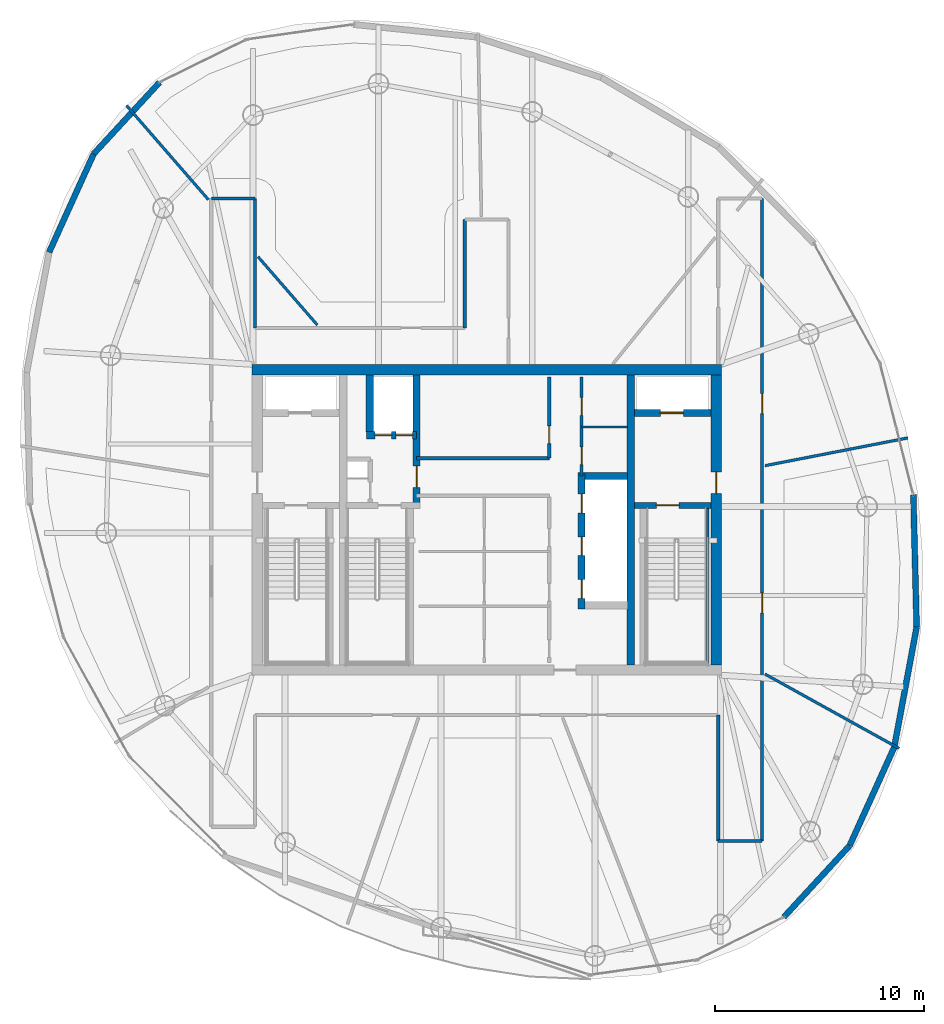
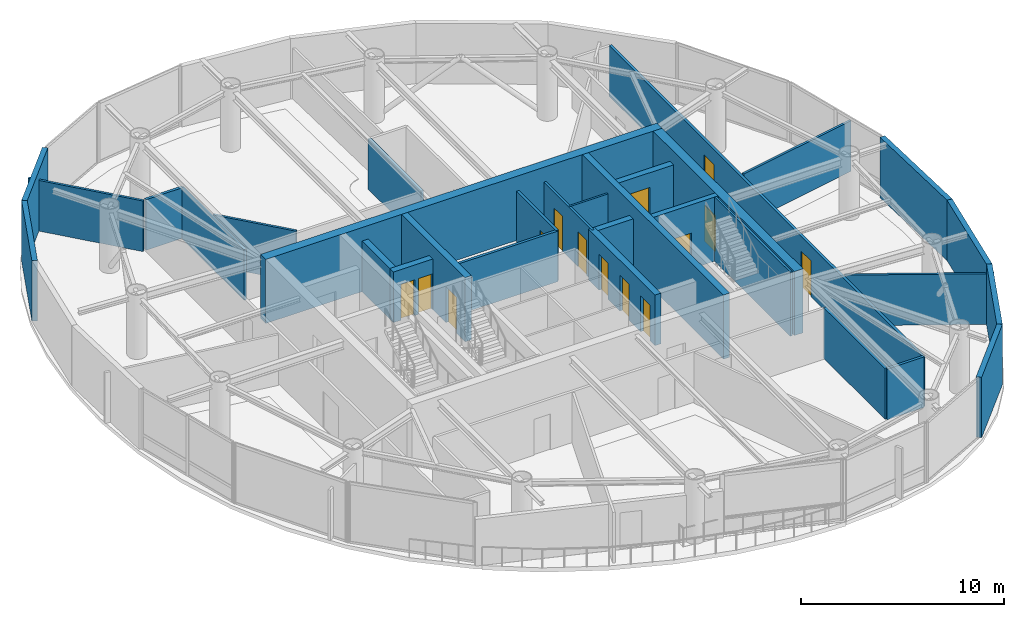
# One storey, part 16 of 20: 31 walls, 14 doors, 14 openings.
"""IFC4 building model written with IfcOpenShell, lengths in metres."""

from ifc_helpers import new_model, si_unit, direction, frame, frame_2d, origin, place, context, subcontext, project, spatial, rectangle, extrude, material, layer, layer_set, type_object, element, fill, save


model = new_model("IFC4")

# Units and contexts
model_context = context("Model", 3, precision=1e-05, world=origin(), true_north=direction((0.0, 1.0)))
body_context = subcontext(model_context, "Body", "Model", "MODEL_VIEW")
ifc_project = project(units=[si_unit("LENGTHUNIT", "METRE"), si_unit("AREAUNIT", "SQUARE_METRE"), si_unit("VOLUMEUNIT", "CUBIC_METRE"), si_unit("PLANEANGLEUNIT", "RADIAN"), si_unit("MASSUNIT", "GRAM", prefix="KILO")], contexts=[model_context])

# Site, building, storey
site_placement = place(None, origin())
site = spatial("IfcSite", under=ifc_project, at=site_placement, CompositionType="ELEMENT")
building_placement = place(site_placement, origin())
building = spatial("IfcBuilding", under=site, at=building_placement, Name="Bramvorn Convention Spire", CompositionType="ELEMENT")
storey_placement = place(building_placement, frame((0.0, 0.0, 245.89990234375)))
storey = spatial("IfcBuildingStorey", under=building, at=storey_placement, Name="L62", CompositionType="ELEMENT", Elevation=245.89990234375)

# Wall
ifc_material_1 = material(Name="Concrete C50/60", Category="concrete")
ifc_layer_1 = layer(ifc_material_1, 0.5)
ifc_layer_set_1 = layer_set([ifc_layer_1], Name="Concrete C50/60 - WL-CORE-500")
wall_type_1 = type_object("IfcWallType", Name="WL-CORE-500", PredefinedType="SHEAR", material=ifc_layer_set_1)
wall_1_placement = place(storey_placement, frame((26.75, 33.199951171875, 0.0), z_axis=(0.0, 0.0, 1.0), x_axis=(1.0, 0.0, 0.0)))
element("IfcWall", 1, at=wall_1_placement, inside=storey, type_object=wall_type_1, Name="L62 North RC core shear wall", PredefinedType="SHEAR", context=body_context, shape_type="SweptSolid", body=[
    extrude(rectangle(XDim=22.5, YDim=0.5, at=frame_2d((11.25, 0.0))), origin(), (0.0, 0.0, 1.0), 3.85009765625),
])

# Wall, opening, door
wall_2_placement = place(storey_placement, frame((49.0, 19.050048828125, 0.0), z_axis=(0.0, 0.0, 1.0), x_axis=(0.0, 1.0, 0.0)))
wall_2 = element("IfcWall", 2, at=wall_2_placement, inside=storey, type_object=wall_type_1, Name="L62 East RC core shear wall", PredefinedType="SHEAR", context=body_context, shape_type="SweptSolid", body=[
    extrude(rectangle(XDim=13.89990234375, YDim=0.5, at=frame_2d((6.949951171875, 0.0))), origin(), (0.0, 0.0, 1.0), 3.85009765625),
])
opening_1_placement = place(wall_2_placement, frame((8.199951171875, 0.0, 0.0)))
opening_1 = element("IfcOpeningElement", 3, at=opening_1_placement, cuts=wall_2, Name="Opening DL-105", PredefinedType="OPENING", context=body_context, shape_type="SweptSolid", body=[
    extrude(rectangle(XDim=1.050048828125, YDim=2.14990234375, at=frame_2d((0.52490234375, 1.074951171875))), frame((0.0, 0.260009765625, 0.0), z_axis=(0.0, -1.0, 0.0), x_axis=(1.0, 0.0, 0.0)), (0.0, 0.0, 1.0), 0.52001953125),
])
ifc_material_2 = material(Name="Smoke-Sealed Fire Lobby Timber-Core Door", Category="wood")
door_type_1 = type_object("IfcDoorType", Name="DR-LOBBY-1050", OperationType="NOTDEFINED", PredefinedType="DOOR", material=ifc_material_2)
door_1_placement = place(opening_1_placement, origin())
door_1 = element("IfcDoor", 4, at=door_1_placement, inside=storey, type_object=door_type_1, Name="L62 East Firefighting Lobby corridor door", OperationType="SINGLE_SWING_LEFT", OverallHeight=2.14990234375, OverallWidth=1.050048828125, PredefinedType="DOOR", context=body_context, shape_type="SweptSolid", body=[
    extrude(rectangle(XDim=1.050048828125, YDim=2.14990234375, at=frame_2d((0.52490234375, 1.074951171875))), frame((0.0, 0.02490234375, 0.0), z_axis=(0.0, -1.0, 0.0), x_axis=(1.0, 0.0, 0.0)), (0.0, 0.0, 1.0), 0.050048828125),
])
fill(opening_1, door_1)

# Wall
ifc_layer_2 = layer(ifc_material_1, 0.35009765625)
ifc_layer_set_2 = layer_set([ifc_layer_2], Name="Concrete C50/60 - WL-CORE-INT-350")
wall_type_2 = type_object("IfcWallType", Name="WL-CORE-INT-350", PredefinedType="SHEAR", material=ifc_layer_set_2)
wall_3_placement = place(storey_placement, frame((44.89990234375, 19.050048828125, 0.0), z_axis=(0.0, 0.0, 1.0), x_axis=(0.0, 1.0, 0.0)))
element("IfcWall", 5, at=wall_3_placement, inside=storey, type_object=wall_type_2, Name="L62 East internal core shear web", PredefinedType="SHEAR", context=body_context, shape_type="SweptSolid", body=[
    extrude(rectangle(XDim=13.89990234375, YDim=0.35009765625, at=frame_2d((6.949951171875, 0.0))), origin(), (0.0, 0.0, 1.0), 3.85009765625),
])

# Wall, opening, door
wall_4_placement = place(storey_placement, frame((45.080078125, 31.1201171875, 0.0), z_axis=(0.0, 0.0, 1.0), x_axis=(1.0, 0.0, 0.0)))
wall_4 = element("IfcWall", 6, at=wall_4_placement, inside=storey, type_object=wall_type_2, Name="L62 FE2 shaft front wall", PredefinedType="SHEAR", context=body_context, shape_type="SweptSolid", body=[
    extrude(rectangle(XDim=3.669921875, YDim=0.35009765625, at=frame_2d((1.8349609375, 0.0))), origin(), (0.0, 0.0, 1.0), 3.0400390625),
])
opening_2_placement = place(wall_4_placement, frame((1.25, 0.0, 0.0)))
opening_2 = element("IfcOpeningElement", 7, at=opening_2_placement, cuts=wall_4, Name="Opening LD-110", PredefinedType="OPENING", context=body_context, shape_type="SweptSolid", body=[
    extrude(rectangle(XDim=1.10009765625, YDim=2.14990234375, at=frame_2d((0.550048828125, 1.074951171875))), frame((0.0, 0.18505859375, 0.0), z_axis=(0.0, -1.0, 0.0), x_axis=(1.0, 0.0, 0.0)), (0.0, 0.0, 1.0), 0.3701171875),
])
ifc_material_3 = material(Name="Firefighting & Service Lift Sliding Landing Door", Category="steel")
door_type_2 = type_object("IfcDoorType", Name="DR-LIFT-LD-1100", OperationType="NOTDEFINED", PredefinedType="DOOR", material=ifc_material_3)
door_2_placement = place(opening_2_placement, origin())
door_2 = element("IfcDoor", 8, at=door_2_placement, inside=storey, type_object=door_type_2, Name="L62 Lift FE2 Sliding Landing Door", OperationType="SLIDING_TO_LEFT", OverallHeight=2.14990234375, OverallWidth=1.10009765625, PredefinedType="DOOR", context=body_context, shape_type="SweptSolid", body=[
    extrude(rectangle(XDim=1.10009765625, YDim=2.14990234375, at=frame_2d((0.550048828125, 1.074951171875))), frame((0.0, 0.02490234375, 0.0), z_axis=(0.0, -1.0, 0.0), x_axis=(1.0, 0.0, 0.0)), (0.0, 0.0, 1.0), 0.050048828125),
])
fill(opening_2, door_2)

wall_5_placement = place(storey_placement, frame((34.639892578125, 26.68994140625, 0.0), z_axis=(0.0, 0.0, 1.0), x_axis=(0.0, 1.0, 0.0)))
wall_5 = element("IfcWall", 9, at=wall_5_placement, inside=storey, type_object=wall_type_2, Name="L62 SV east core shaft wall", PredefinedType="SHEAR", context=body_context, shape_type="SweptSolid", body=[
    extrude(rectangle(XDim=6.260009765625, YDim=0.35009765625, at=frame_2d((3.1298828125, 0.0))), origin(), (0.0, 0.0, 1.0), 3.85009765625),
])
opening_3_placement = place(wall_5_placement, frame((0.85009765625, 0.0, 0.0)))
opening_3 = element("IfcOpeningElement", 10, at=opening_3_placement, cuts=wall_5, Name="Opening DL-105", PredefinedType="OPENING", context=body_context, shape_type="SweptSolid", body=[
    extrude(rectangle(XDim=1.050048828125, YDim=2.14990234375, at=frame_2d((0.52490234375, 1.074951171875))), frame((0.0, 0.18505859375, 0.0), z_axis=(0.0, -1.0, 0.0), x_axis=(1.0, 0.0, 0.0)), (0.0, 0.0, 1.0), 0.3701171875),
])
door_3_placement = place(opening_3_placement, origin())
door_3 = element("IfcDoor", 11, at=door_3_placement, inside=storey, type_object=door_type_1, Name="L62 Core cross-passage door", OperationType="SINGLE_SWING_RIGHT", OverallHeight=2.14990234375, OverallWidth=1.050048828125, PredefinedType="DOOR", context=body_context, shape_type="SweptSolid", body=[
    extrude(rectangle(XDim=1.050048828125, YDim=2.14990234375, at=frame_2d((0.52490234375, 1.074951171875))), frame((0.0, 0.02490234375, 0.0), z_axis=(0.0, -1.0, 0.0), x_axis=(1.0, 0.0, 0.0)), (0.0, 0.0, 1.0), 0.050048828125),
])
fill(opening_3, door_3)

# Wall, openings, doors
wall_6_placement = place(storey_placement, frame((32.22998046875, 30.050048828125, 0.0), z_axis=(0.0, 0.0, 1.0), x_axis=(1.0, 0.0, 0.0)))
wall_6 = element("IfcWall", 12, at=wall_6_placement, inside=storey, type_object=wall_type_2, Name="L62 SV1/SV2 shaft front wall", PredefinedType="SHEAR", context=body_context, shape_type="SweptSolid", body=[
    extrude(rectangle(XDim=2.409912109375, YDim=0.35009765625, at=frame_2d((1.205078125, 0.0))), origin(), (0.0, 0.0, 1.0), 3.0400390625),
])
opening_4_placement = place(wall_6_placement, frame((0.419921875, 0.0, 0.0)))
opening_4 = element("IfcOpeningElement", 13, at=opening_4_placement, cuts=wall_6, Name="Opening LD-080", PredefinedType="OPENING", context=body_context, shape_type="SweptSolid", body=[
    extrude(rectangle(XDim=0.800048828125, YDim=2.14990234375, at=frame_2d((0.39990234375, 1.074951171875))), frame((0.0, 0.18505859375, 0.0), z_axis=(0.0, -1.0, 0.0), x_axis=(1.0, 0.0, 0.0)), (0.0, 0.0, 1.0), 0.3701171875),
])
opening_5_placement = place(wall_6_placement, frame((1.419921875, 0.0, 0.0)))
opening_5 = element("IfcOpeningElement", 14, at=opening_5_placement, cuts=wall_6, Name="Opening LD-080", PredefinedType="OPENING", context=body_context, shape_type="SweptSolid", body=[
    extrude(rectangle(XDim=0.800048828125, YDim=2.14990234375, at=frame_2d((0.39990234375, 1.074951171875))), frame((0.0, 0.18505859375, 0.0), z_axis=(0.0, -1.0, 0.0), x_axis=(1.0, 0.0, 0.0)), (0.0, 0.0, 1.0), 0.3701171875),
])
ifc_material_4 = material(Name="Service Lift Bi-Parting Landing Door", Category="steel")
door_type_3 = type_object("IfcDoorType", Name="DR-LIFT-LD-800", OperationType="NOTDEFINED", PredefinedType="DOOR", material=ifc_material_4)
door_4_placement = place(opening_4_placement, origin())
door_4 = element("IfcDoor", 15, at=door_4_placement, inside=storey, type_object=door_type_3, Name="L62 Lift SV1 Sliding Landing Door", OperationType="SLIDING_TO_LEFT", OverallHeight=2.14990234375, OverallWidth=0.800048828125, PredefinedType="DOOR", context=body_context, shape_type="SweptSolid", body=[
    extrude(rectangle(XDim=0.800048828125, YDim=2.14990234375, at=frame_2d((0.39990234375, 1.074951171875))), frame((0.0, 0.02490234375, 0.0), z_axis=(0.0, -1.0, 0.0), x_axis=(1.0, 0.0, 0.0)), (0.0, 0.0, 1.0), 0.050048828125),
])
fill(opening_4, door_4)
door_5_placement = place(opening_5_placement, origin())
door_5 = element("IfcDoor", 16, at=door_5_placement, inside=storey, type_object=door_type_3, Name="L62 Lift SV2 Sliding Landing Door", OperationType="SLIDING_TO_LEFT", OverallHeight=2.14990234375, OverallWidth=0.800048828125, PredefinedType="DOOR", context=body_context, shape_type="SweptSolid", body=[
    extrude(rectangle(XDim=0.800048828125, YDim=2.14990234375, at=frame_2d((0.39990234375, 1.074951171875))), frame((0.0, 0.02490234375, 0.0), z_axis=(0.0, -1.0, 0.0), x_axis=(1.0, 0.0, 0.0)), (0.0, 0.0, 1.0), 0.050048828125),
])
fill(opening_5, door_5)

# Wall
wall_7_placement = place(storey_placement, frame((32.39990234375, 30.219970703125, 0.0), z_axis=(0.0, 0.0, 1.0), x_axis=(0.0, 1.0, 0.0)))
element("IfcWall", 17, at=wall_7_placement, inside=storey, type_object=wall_type_2, Name="L62 SV1 west hoistway wall", PredefinedType="SHEAR", context=body_context, shape_type="SweptSolid", body=[
    extrude(rectangle(XDim=2.72998046875, YDim=0.35009765625, at=frame_2d((1.364990234375, 0.0))), origin(), (0.0, 0.0, 1.0), 3.0400390625),
])

# Wall, openings, doors
wall_8_placement = place(storey_placement, frame((42.550048828125, 21.72998046875, 0.0), z_axis=(0.0, 0.0, 1.0), x_axis=(0.0, 1.0, 0.0)))
wall_8 = element("IfcWall", 18, at=wall_8_placement, inside=storey, type_object=wall_type_2, Name="L62 High-rise lift bank west wall", PredefinedType="SHEAR", context=body_context, shape_type="SweptSolid", body=[
    extrude(rectangle(XDim=6.5400390625, YDim=0.35009765625, at=frame_2d((3.27001953125, 0.0))), origin(), (0.0, 0.0, 1.0), 3.0400390625),
])
opening_6_placement = place(wall_8_placement, frame((0.5, 0.0, 0.0)))
opening_6 = element("IfcOpeningElement", 19, at=opening_6_placement, cuts=wall_8, Name="Opening LD-090", PredefinedType="OPENING", context=body_context, shape_type="SweptSolid", body=[
    extrude(rectangle(XDim=0.89990234375, YDim=2.14990234375, at=frame_2d((0.449951171875, 1.074951171875))), frame((0.0, 0.18505859375, 0.0), z_axis=(0.0, -1.0, 0.0), x_axis=(1.0, 0.0, 0.0)), (0.0, 0.0, 1.0), 0.3701171875),
])
opening_7_placement = place(wall_8_placement, frame((2.550048828125, 0.0, 0.0)))
opening_7 = element("IfcOpeningElement", 20, at=opening_7_placement, cuts=wall_8, Name="Opening LD-090", PredefinedType="OPENING", context=body_context, shape_type="SweptSolid", body=[
    extrude(rectangle(XDim=0.89990234375, YDim=2.14990234375, at=frame_2d((0.449951171875, 1.074951171875))), frame((0.0, 0.18505859375, 0.0), z_axis=(0.0, -1.0, 0.0), x_axis=(1.0, 0.0, 0.0)), (0.0, 0.0, 1.0), 0.3701171875),
])
opening_8_placement = place(wall_8_placement, frame((4.60009765625, 0.0, 0.0)))
opening_8 = element("IfcOpeningElement", 21, at=opening_8_placement, cuts=wall_8, Name="Opening LD-090", PredefinedType="OPENING", context=body_context, shape_type="SweptSolid", body=[
    extrude(rectangle(XDim=0.89990234375, YDim=2.14990234375, at=frame_2d((0.449951171875, 1.074951171875))), frame((0.0, 0.18505859375, 0.0), z_axis=(0.0, -1.0, 0.0), x_axis=(1.0, 0.0, 0.0)), (0.0, 0.0, 1.0), 0.3701171875),
])
ifc_material_5 = material(Name="Bi-Parting Fire-Rated Lift Landing Door", Category="steel")
door_type_4 = type_object("IfcDoorType", Name="DR-LIFT-LD-900", OperationType="NOTDEFINED", PredefinedType="DOOR", material=ifc_material_5)
door_6_placement = place(opening_6_placement, origin())
door_6 = element("IfcDoor", 22, at=door_6_placement, inside=storey, type_object=door_type_4, Name="L62 Lift PH1 Sliding Landing Door", OperationType="SLIDING_TO_LEFT", OverallHeight=2.14990234375, OverallWidth=0.89990234375, PredefinedType="DOOR", context=body_context, shape_type="SweptSolid", body=[
    extrude(rectangle(XDim=0.89990234375, YDim=2.14990234375, at=frame_2d((0.449951171875, 1.074951171875))), frame((0.0, 0.02490234375, 0.0), z_axis=(0.0, -1.0, 0.0), x_axis=(1.0, 0.0, 0.0)), (0.0, 0.0, 1.0), 0.050048828125),
])
fill(opening_6, door_6)
door_7_placement = place(opening_7_placement, origin())
door_7 = element("IfcDoor", 23, at=door_7_placement, inside=storey, type_object=door_type_4, Name="L62 Lift PH2 Sliding Landing Door", OperationType="SLIDING_TO_LEFT", OverallHeight=2.14990234375, OverallWidth=0.89990234375, PredefinedType="DOOR", context=body_context, shape_type="SweptSolid", body=[
    extrude(rectangle(XDim=0.89990234375, YDim=2.14990234375, at=frame_2d((0.449951171875, 1.074951171875))), frame((0.0, 0.02490234375, 0.0), z_axis=(0.0, -1.0, 0.0), x_axis=(1.0, 0.0, 0.0)), (0.0, 0.0, 1.0), 0.050048828125),
])
fill(opening_7, door_7)
door_8_placement = place(opening_8_placement, origin())
door_8 = element("IfcDoor", 24, at=door_8_placement, inside=storey, type_object=door_type_4, Name="L62 Lift PH3 Sliding Landing Door", OperationType="SLIDING_TO_LEFT", OverallHeight=2.14990234375, OverallWidth=0.89990234375, PredefinedType="DOOR", context=body_context, shape_type="SweptSolid", body=[
    extrude(rectangle(XDim=0.89990234375, YDim=2.14990234375, at=frame_2d((0.449951171875, 1.074951171875))), frame((0.0, 0.02490234375, 0.0), z_axis=(0.0, -1.0, 0.0), x_axis=(1.0, 0.0, 0.0)), (0.0, 0.0, 1.0), 0.050048828125),
])
fill(opening_8, door_8)

# Walls
wall_9_placement = place(storey_placement, frame((42.719970703125, 28.10009765625, 0.0), z_axis=(0.0, 0.0, 1.0), x_axis=(1.0, 0.0, 0.0)))
element("IfcWall", 25, at=wall_9_placement, inside=storey, type_object=wall_type_2, Name="L62 High-rise lift bank north wall", PredefinedType="SHEAR", context=body_context, shape_type="SweptSolid", body=[
    extrude(rectangle(XDim=2.030029296875, YDim=0.35009765625, at=frame_2d((1.01513671875, 0.0))), origin(), (0.0, 0.0, 1.0), 3.0400390625),
])
ifc_material_6 = material(Name="Precast Concrete C40/50 with Bronze Terracotta Rainscreen", Category="masonry")
ifc_layer_3 = layer(ifc_material_6, 0.300048828125)
ifc_layer_set_3 = layer_set([ifc_layer_3], Name="Precast Concrete C40/50 with Bronze Terracotta Rainscreen - WL-EXT-BRONZE-300")
wall_type_3 = type_object("IfcWallType", Name="WL-EXT-BRONZE-300", PredefinedType="SOLIDWALL", material=ifc_layer_set_3)
wall_10_placement = place(storey_placement, frame((55.39599609375, 10.37890625, 0.0), z_axis=(0.0, 0.0, 1.0), x_axis=(-0.677562449633, -0.735465245166, 0.0)))
element("IfcWall", 26, at=wall_10_placement, inside=storey, type_object=wall_type_3, Name="L62 expressed bronze Gothic lancet pier wall 01", PredefinedType="SOLIDWALL", context=body_context, shape_type="SweptSolid", body=[
    extrude(rectangle(XDim=4.650634765625, YDim=0.280029296875, at=frame_2d((2.3251953125, 0.0))), origin(), (0.0, 0.0, 1.0), 3.625),
])
wall_11_placement = place(storey_placement, frame((57.534912109375, 15.095703125, 0.0), z_axis=(0.0, 0.0, 1.0), x_axis=(-0.412989460756, -0.910735804339, 0.0)))
element("IfcWall", 27, at=wall_11_placement, inside=storey, type_object=wall_type_3, Name="L62 expressed bronze Gothic lancet pier wall 02", PredefinedType="SOLIDWALL", context=body_context, shape_type="SweptSolid", body=[
    extrude(rectangle(XDim=5.17919921875, YDim=0.280029296875, at=frame_2d((2.589599609375, 0.0))), origin(), (0.0, 0.0, 1.0), 3.625),
])
wall_12_placement = place(storey_placement, frame((58.608642578125, 20.856689453125, 0.0), z_axis=(0.0, 0.0, 1.0), x_axis=(-0.183224424641, -0.983071111474, 0.0)))
element("IfcWall", 28, at=wall_12_placement, inside=storey, type_object=wall_type_3, Name="L62 expressed bronze Gothic lancet pier wall 03", PredefinedType="SOLIDWALL", context=body_context, shape_type="SweptSolid", body=[
    extrude(rectangle(XDim=5.860107421875, YDim=0.280029296875, at=frame_2d((2.93017578125, 0.0))), origin(), (0.0, 0.0, 1.0), 3.625),
])
wall_13_placement = place(storey_placement, frame((58.451171875, 27.19970703125, 0.0), z_axis=(0.0, 0.0, 1.0), x_axis=(0.024818187444, -0.999691981348, 0.0)))
element("IfcWall", 29, at=wall_13_placement, inside=storey, type_object=wall_type_3, Name="L62 expressed bronze Gothic lancet pier wall 04", PredefinedType="SOLIDWALL", context=body_context, shape_type="SweptSolid", body=[
    extrude(rectangle(XDim=6.344970703125, YDim=0.280029296875, at=frame_2d((3.17236328125, 0.0))), origin(), (0.0, 0.0, 1.0), 3.625),
])
wall_14_placement = place(storey_placement, frame((19.16650390625, 43.542724609375, 0.0), z_axis=(0.0, 0.0, 1.0), x_axis=(0.677562449633, 0.735465245166, 0.0)))
element("IfcWall", 30, at=wall_14_placement, inside=storey, type_object=wall_type_3, Name="L62 expressed bronze Gothic lancet pier wall 13", PredefinedType="SOLIDWALL", context=body_context, shape_type="SweptSolid", body=[
    extrude(rectangle(XDim=4.650634765625, YDim=0.280029296875, at=frame_2d((2.3251953125, 0.0))), origin(), (0.0, 0.0, 1.0), 3.625),
])
wall_15_placement = place(storey_placement, frame((17.02734375, 38.825927734375, 0.0), z_axis=(0.0, 0.0, 1.0), x_axis=(0.413028559016, 0.910718073521, 0.0)))
element("IfcWall", 31, at=wall_15_placement, inside=storey, type_object=wall_type_3, Name="L62 expressed bronze Gothic lancet pier wall 14", PredefinedType="SOLIDWALL", context=body_context, shape_type="SweptSolid", body=[
    extrude(rectangle(XDim=5.17919921875, YDim=0.280029296875, at=frame_2d((2.589599609375, 0.0))), origin(), (0.0, 0.0, 1.0), 3.625),
])
ifc_material_7 = material(Name="Lightweight En-Suite & Wet-Wall Partition", Category="gypsum")
ifc_layer_4 = layer(ifc_material_7, 0.110107421875)
ifc_layer_set_4 = layer_set([ifc_layer_4], Name="Lightweight En-Suite & Wet-Wall Partition - WL-PART-110")
wall_type_4 = type_object("IfcWallType", Name="WL-PART-110", PredefinedType="PARTITIONING", material=ifc_layer_set_4)
wall_16_placement = place(storey_placement, frame((42.550048828125, 30.449951171875, 0.0), z_axis=(0.0, 0.0, 1.0), x_axis=(1.0, 0.0, 0.0)))
element("IfcWall", 32, at=wall_16_placement, inside=storey, type_object=wall_type_4, Name="L62 KB NE divider", PredefinedType="PARTITIONING", context=body_context, shape_type="SweptSolid", body=[
    extrude(rectangle(XDim=2.199951171875, YDim=0.110107421875, at=frame_2d((1.10009765625, 0.0))), origin(), (0.0, 0.0, 1.0), 3.0400390625),
])

# Wall, openings, doors
ifc_material_8 = material(Name="Metal-Stud Demountable Office Partition", Category="gypsum")
ifc_layer_5 = layer(ifc_material_8, 0.1298828125)
ifc_layer_set_5 = layer_set([ifc_layer_5], Name="Metal-Stud Demountable Office Partition - WL-PART-130")
wall_type_5 = type_object("IfcWallType", Name="WL-PART-130", PredefinedType="PARTITIONING", material=ifc_layer_set_5)
wall_17_placement = place(storey_placement, frame((42.550048828125, 28.10009765625, 0.0), z_axis=(0.0, 0.0, 1.0), x_axis=(0.0, 1.0, 0.0)))
wall_17 = element("IfcWall", 33, at=wall_17_placement, inside=storey, type_object=wall_type_5, Name="L62 KB NE split wall", PredefinedType="PARTITIONING", context=body_context, shape_type="SweptSolid", body=[
    extrude(rectangle(XDim=4.75, YDim=0.1298828125, at=frame_2d((2.375, 0.0))), origin(), (0.0, 0.0, 1.0), 3.0400390625),
])
opening_9_placement = place(wall_17_placement, frame((0.550048828125, 0.0, 0.0)))
opening_9 = element("IfcOpeningElement", 34, at=opening_9_placement, cuts=wall_17, Name="Opening DC-085", PredefinedType="OPENING", context=body_context, shape_type="SweptSolid", body=[
    extrude(rectangle(XDim=0.85009765625, YDim=2.10009765625, at=frame_2d((0.425048828125, 1.050048828125))), frame((0.0, 0.074951171875, 0.0), z_axis=(0.0, -1.0, 0.0), x_axis=(1.0, 0.0, 0.0)), (0.0, 0.0, 1.0), 0.14990234375),
])
opening_10_placement = place(wall_17_placement, frame((2.89990234375, 0.0, 0.0)))
opening_10 = element("IfcOpeningElement", 35, at=opening_10_placement, cuts=wall_17, Name="Opening DC-085", PredefinedType="OPENING", context=body_context, shape_type="SweptSolid", body=[
    extrude(rectangle(XDim=0.85009765625, YDim=2.10009765625, at=frame_2d((0.425048828125, 1.050048828125))), frame((0.0, 0.074951171875, 0.0), z_axis=(0.0, -1.0, 0.0), x_axis=(1.0, 0.0, 0.0)), (0.0, 0.0, 1.0), 0.14990234375),
])
ifc_material_9 = material(Name="Fire-Rated Core Washroom & IDF Door", Category="wood")
door_type_5 = type_object("IfcDoorType", Name="DR-CORE-850", OperationType="NOTDEFINED", PredefinedType="DOOR", material=ifc_material_9)
door_9_placement = place(opening_9_placement, origin())
door_9 = element("IfcDoor", 36, at=door_9_placement, inside=storey, type_object=door_type_5, Name="L62 Core Staff WC door", OperationType="SINGLE_SWING_LEFT", OverallHeight=2.10009765625, OverallWidth=0.85009765625, PredefinedType="DOOR", context=body_context, shape_type="SweptSolid", body=[
    extrude(rectangle(XDim=0.85009765625, YDim=2.10009765625, at=frame_2d((0.425048828125, 1.050048828125))), frame((0.0, 0.02490234375, 0.0), z_axis=(0.0, -1.0, 0.0), x_axis=(1.0, 0.0, 0.0)), (0.0, 0.0, 1.0), 0.050048828125),
])
fill(opening_9, door_9)
door_10_placement = place(opening_10_placement, origin())
door_10 = element("IfcDoor", 37, at=door_10_placement, inside=storey, type_object=door_type_5, Name="L62 Core Data Closet door", OperationType="SINGLE_SWING_LEFT", OverallHeight=2.10009765625, OverallWidth=0.85009765625, PredefinedType="DOOR", context=body_context, shape_type="SweptSolid", body=[
    extrude(rectangle(XDim=0.85009765625, YDim=2.10009765625, at=frame_2d((0.425048828125, 1.050048828125))), frame((0.0, 0.02490234375, 0.0), z_axis=(0.0, -1.0, 0.0), x_axis=(1.0, 0.0, 0.0)), (0.0, 0.0, 1.0), 0.050048828125),
])
fill(opening_10, door_10)

# Walls
wall_18_placement = place(storey_placement, frame((51.340087890625, 28.593017578125, 0.0), z_axis=(0.0, 0.0, 1.0), x_axis=(0.981625390304, 0.190818220071, 0.0)))
element("IfcWall", 38, at=wall_18_placement, inside=storey, type_object=wall_type_5, Name="L62 Tenant suite partition 1", PredefinedType="PARTITIONING", context=body_context, shape_type="SweptSolid", body=[
    extrude(rectangle(XDim=6.987060546875, YDim=0.1298828125, at=frame_2d((3.49365234375, 0.0))), origin(), (0.0, 0.0, 1.0), 3.0400390625),
])
wall_19_placement = place(storey_placement, frame((29.880859375, 35.340087890625, 0.0), z_axis=(0.0, 0.0, 1.0), x_axis=(-0.656078202057, 0.754692912903, 0.0)))
element("IfcWall", 39, at=wall_19_placement, inside=storey, type_object=wall_type_5, Name="L62 Tenant suite partition 4", PredefinedType="PARTITIONING", context=body_context, shape_type="SweptSolid", body=[
    extrude(rectangle(XDim=4.330078125, YDim=0.1298828125, at=frame_2d((2.1650390625, 0.0))), origin(), (0.0, 0.0, 1.0), 3.0400390625),
])
wall_20_placement = place(storey_placement, frame((24.659912109375, 41.345947265625, 0.0), z_axis=(0.0, 0.0, 1.0), x_axis=(-0.656044437945, 0.754722263778, 0.0)))
element("IfcWall", 40, at=wall_20_placement, inside=storey, type_object=wall_type_5, Name="L62 Tenant suite partition 4", PredefinedType="PARTITIONING", context=body_context, shape_type="SweptSolid", body=[
    extrude(rectangle(XDim=5.9873046875, YDim=0.1298828125, at=frame_2d((2.99365234375, 0.0))), origin(), (0.0, 0.0, 1.0), 3.0400390625),
])
wall_21_placement = place(storey_placement, frame((51.340087890625, 18.60546875, 0.0), z_axis=(0.0, 0.0, 1.0), x_axis=(0.874631338036, -0.48478863696, 0.0)))
element("IfcWall", 41, at=wall_21_placement, inside=storey, type_object=wall_type_5, Name="L62 Tenant suite partition 9", PredefinedType="PARTITIONING", context=body_context, shape_type="SweptSolid", body=[
    extrude(rectangle(XDim=7.35400390625, YDim=0.1298828125, at=frame_2d((3.677001953125, 0.0))), origin(), (0.0, 0.0, 1.0), 3.0400390625),
])
ifc_material_10 = material(Name="Acoustic Metal-Stud Tenant/Corridor Partition", Category="gypsum")
ifc_layer_6 = layer(ifc_material_10, 0.14990234375)
ifc_layer_set_6 = layer_set([ifc_layer_6], Name="Acoustic Metal-Stud Tenant/Corridor Partition - WL-PART-150")
wall_type_6 = type_object("IfcWallType", Name="WL-PART-150", PredefinedType="PARTITIONING", material=ifc_layer_set_6)
wall_22_placement = place(storey_placement, frame((34.639892578125, 28.949951171875, 0.0), z_axis=(0.0, 0.0, 1.0), x_axis=(1.0, 0.0, 0.0)))
element("IfcWall", 42, at=wall_22_placement, inside=storey, type_object=wall_type_6, Name="L62 Cross-core passage north wall", PredefinedType="PARTITIONING", context=body_context, shape_type="SweptSolid", body=[
    extrude(rectangle(XDim=6.360107421875, YDim=0.14990234375, at=frame_2d((3.18017578125, 0.0))), origin(), (0.0, 0.0, 1.0), 3.0400390625),
])

# Wall, opening, door
wall_23_placement = place(storey_placement, frame((41.0, 28.949951171875, 0.0), z_axis=(0.0, 0.0, 1.0), x_axis=(0.0, 1.0, 0.0)))
wall_23 = element("IfcWall", 43, at=wall_23_placement, inside=storey, type_object=wall_type_6, Name="L62 Freed north shaft room wall", PredefinedType="PARTITIONING", context=body_context, shape_type="SweptSolid", body=[
    extrude(rectangle(XDim=3.900146484375, YDim=0.14990234375, at=frame_2d((1.9501953125, 0.0))), origin(), (0.0, 0.0, 1.0), 3.0400390625),
])
opening_11_placement = place(wall_23_placement, frame((0.699951171875, 0.0, 0.0)))
opening_11 = element("IfcOpeningElement", 44, at=opening_11_placement, cuts=wall_23, Name="Opening DC-085", PredefinedType="OPENING", context=body_context, shape_type="SweptSolid", body=[
    extrude(rectangle(XDim=0.85009765625, YDim=2.10009765625, at=frame_2d((0.425048828125, 1.050048828125))), frame((0.0, 0.0849609375, 0.0), z_axis=(0.0, -1.0, 0.0), x_axis=(1.0, 0.0, 0.0)), (0.0, 0.0, 1.0), 0.169921875),
])
door_11_placement = place(opening_11_placement, origin())
door_11 = element("IfcDoor", 45, at=door_11_placement, inside=storey, type_object=door_type_5, Name="L62 North core archive door", OperationType="SINGLE_SWING_LEFT", OverallHeight=2.10009765625, OverallWidth=0.85009765625, PredefinedType="DOOR", context=body_context, shape_type="SweptSolid", body=[
    extrude(rectangle(XDim=0.85009765625, YDim=2.10009765625, at=frame_2d((0.425048828125, 1.050048828125))), frame((0.0, 0.02490234375, 0.0), z_axis=(0.0, -1.0, 0.0), x_axis=(1.0, 0.0, 0.0)), (0.0, 0.0, 1.0), 0.050048828125),
])
fill(opening_11, door_11)

# Walls
wall_24_placement = place(storey_placement, frame((26.89990234375, 35.199951171875, 0.0), z_axis=(0.0, 0.0, 1.0), x_axis=(0.0, 1.0, 0.0)))
element("IfcWall", 46, at=wall_24_placement, inside=storey, type_object=wall_type_6, Name="L62 West gallery NE wall", PredefinedType="PARTITIONING", context=body_context, shape_type="SweptSolid", body=[
    extrude(rectangle(XDim=6.199951171875, YDim=0.14990234375, at=frame_2d((3.10009765625, 0.0))), origin(), (0.0, 0.0, 1.0), 3.0400390625),
])
wall_25_placement = place(storey_placement, frame((24.800048828125, 41.39990234375, 0.0), z_axis=(0.0, 0.0, 1.0), x_axis=(1.0, 0.0, 0.0)))
element("IfcWall", 47, at=wall_25_placement, inside=storey, type_object=wall_type_6, Name="L62 West gallery north end", PredefinedType="PARTITIONING", context=body_context, shape_type="SweptSolid", body=[
    extrude(rectangle(XDim=2.099853515625, YDim=0.14990234375, at=frame_2d((1.0498046875, 0.0))), origin(), (0.0, 0.0, 1.0), 3.0400390625),
])

# Wall, openings, doors
wall_26_placement = place(storey_placement, frame((51.199951171875, 10.60009765625, 0.0), z_axis=(0.0, 0.0, 1.0), x_axis=(0.0, 1.0, 0.0)))
wall_26 = element("IfcWall", 48, at=wall_26_placement, inside=storey, type_object=wall_type_6, Name="L62 East N-S gallery outer wall", PredefinedType="PARTITIONING", context=body_context, shape_type="SweptSolid", body=[
    extrude(rectangle(XDim=30.7998046875, YDim=0.14990234375, at=frame_2d((15.39990234375, 0.0))), origin(), (0.0, 0.0, 1.0), 3.0400390625),
])
opening_12_placement = place(wall_26_placement, frame((20.494384765625, 0.0, 0.0)))
opening_12 = element("IfcOpeningElement", 49, at=opening_12_placement, cuts=wall_26, Name="Opening DH-095", PredefinedType="OPENING", context=body_context, shape_type="SweptSolid", body=[
    extrude(rectangle(XDim=0.949951171875, YDim=2.14990234375, at=frame_2d((0.47509765625, 1.074951171875))), frame((0.0, 0.0849609375, 0.0), z_axis=(0.0, -1.0, 0.0), x_axis=(1.0, 0.0, 0.0)), (0.0, 0.0, 1.0), 0.169921875),
])
opening_13_placement = place(wall_26_placement, frame((10.941162109375, 0.0, 0.0)))
opening_13 = element("IfcOpeningElement", 50, at=opening_13_placement, cuts=wall_26, Name="Opening DH-095", PredefinedType="OPENING", context=body_context, shape_type="SweptSolid", body=[
    extrude(rectangle(XDim=0.949951171875, YDim=2.14990234375, at=frame_2d((0.47509765625, 1.074951171875))), frame((0.0, 0.0849609375, 0.0), z_axis=(0.0, -1.0, 0.0), x_axis=(1.0, 0.0, 0.0)), (0.0, 0.0, 1.0), 0.169921875),
])
ifc_material_11 = material(Name="Solid-Core Acoustic Guestroom Entry Door", Category="wood")
door_type_6 = type_object("IfcDoorType", Name="DR-HOTEL-950", OperationType="NOTDEFINED", PredefinedType="DOOR", material=ifc_material_11)
door_12_placement = place(opening_12_placement, origin())
door_12 = element("IfcDoor", 51, at=door_12_placement, inside=storey, type_object=door_type_6, Name="L62 Conference Meeting Room 1 1 door", OperationType="SINGLE_SWING_RIGHT", OverallHeight=2.14990234375, OverallWidth=0.949951171875, PredefinedType="DOOR", context=body_context, shape_type="SweptSolid", body=[
    extrude(rectangle(XDim=0.949951171875, YDim=2.14990234375, at=frame_2d((0.47509765625, 1.074951171875))), frame((0.0, 0.02490234375, 0.0), z_axis=(0.0, -1.0, 0.0), x_axis=(1.0, 0.0, 0.0)), (0.0, 0.0, 1.0), 0.050048828125),
])
fill(opening_12, door_12)
door_13_placement = place(opening_13_placement, origin())
door_13 = element("IfcDoor", 52, at=door_13_placement, inside=storey, type_object=door_type_6, Name="L62 Conference Meeting Room 1 10 door", OperationType="SINGLE_SWING_RIGHT", OverallHeight=2.14990234375, OverallWidth=0.949951171875, PredefinedType="DOOR", context=body_context, shape_type="SweptSolid", body=[
    extrude(rectangle(XDim=0.949951171875, YDim=2.14990234375, at=frame_2d((0.47509765625, 1.074951171875))), frame((0.0, 0.02490234375, 0.0), z_axis=(0.0, -1.0, 0.0), x_axis=(1.0, 0.0, 0.0)), (0.0, 0.0, 1.0), 0.050048828125),
])
fill(opening_13, door_13)

# Walls
wall_27_placement = place(storey_placement, frame((49.10009765625, 10.60009765625, 0.0), z_axis=(0.0, 0.0, 1.0), x_axis=(0.0, 1.0, 0.0)))
element("IfcWall", 53, at=wall_27_placement, inside=storey, type_object=wall_type_6, Name="L62 East gallery SW wall", PredefinedType="PARTITIONING", context=body_context, shape_type="SweptSolid", body=[
    extrude(rectangle(XDim=6.0498046875, YDim=0.14990234375, at=frame_2d((3.02490234375, 0.0))), origin(), (0.0, 0.0, 1.0), 3.0400390625),
])
wall_28_placement = place(storey_placement, frame((49.10009765625, 10.60009765625, 0.0), z_axis=(0.0, 0.0, 1.0), x_axis=(1.0, 0.0, 0.0)))
element("IfcWall", 54, at=wall_28_placement, inside=storey, type_object=wall_type_6, Name="L62 East gallery south end", PredefinedType="PARTITIONING", context=body_context, shape_type="SweptSolid", body=[
    extrude(rectangle(XDim=2.099853515625, YDim=0.14990234375, at=frame_2d((1.0498046875, 0.0))), origin(), (0.0, 0.0, 1.0), 3.0400390625),
])
wall_29_placement = place(storey_placement, frame((36.949951171875, 35.199951171875, 0.0), z_axis=(0.0, 0.0, 1.0), x_axis=(0.0, 1.0, 0.0)))
element("IfcWall", 55, at=wall_29_placement, inside=storey, type_object=wall_type_6, Name="L62 North spur west wall", PredefinedType="PARTITIONING", context=body_context, shape_type="SweptSolid", body=[
    extrude(rectangle(XDim=5.199951171875, YDim=0.14990234375, at=frame_2d((2.60009765625, 0.0))), origin(), (0.0, 0.0, 1.0), 3.0400390625),
])

# Wall, opening, door
ifc_layer_7 = layer(ifc_material_1, 0.300048828125)
ifc_layer_set_7 = layer_set([ifc_layer_7], Name="Concrete C50/60 - WL-POD-STAIR-300")
wall_type_7 = type_object("IfcWallType", Name="WL-POD-STAIR-300", PredefinedType="SHEAR", material=ifc_layer_set_7)
wall_30_placement = place(storey_placement, frame((45.080078125, 26.68994140625, 0.0), z_axis=(0.0, 0.0, 1.0), x_axis=(1.0, 0.0, 0.0)))
wall_30 = element("IfcWall", 56, at=wall_30_placement, inside=storey, type_object=wall_type_7, Name="L62 ST2 north fire wall", PredefinedType="SHEAR", context=body_context, shape_type="SweptSolid", body=[
    extrude(rectangle(XDim=3.669921875, YDim=0.300048828125, at=frame_2d((1.8349609375, 0.0))), origin(), (0.0, 0.0, 1.0), 3.85009765625),
])
opening_14_placement = place(wall_30_placement, frame((1.050048828125, 0.0, 0.0)))
opening_14 = element("IfcOpeningElement", 57, at=opening_14_placement, cuts=wall_30, Name="Opening DS-110", PredefinedType="OPENING", context=body_context, shape_type="SweptSolid", body=[
    extrude(rectangle(XDim=1.10009765625, YDim=2.14990234375, at=frame_2d((0.550048828125, 1.074951171875))), frame((0.0, 0.159912109375, 0.0), z_axis=(0.0, -1.0, 0.0), x_axis=(1.0, 0.0, 0.0)), (0.0, 0.0, 1.0), 0.320068359375),
])
ifc_material_12 = material(Name="Fire-Rated Hollow Steel Stairwell Door", Category="steel")
door_type_7 = type_object("IfcDoorType", Name="DR-STAIR-1100", OperationType="NOTDEFINED", PredefinedType="DOOR", material=ifc_material_12)
door_14_placement = place(opening_14_placement, origin())
door_14 = element("IfcDoor", 58, at=door_14_placement, inside=storey, type_object=door_type_7, Name="L62 Stair ST2 fire door", OperationType="SINGLE_SWING_RIGHT", OverallHeight=2.14990234375, OverallWidth=1.10009765625, PredefinedType="DOOR", context=body_context, shape_type="SweptSolid", body=[
    extrude(rectangle(XDim=1.10009765625, YDim=2.14990234375, at=frame_2d((0.550048828125, 1.074951171875))), frame((0.0, 0.02490234375, 0.0), z_axis=(0.0, -1.0, 0.0), x_axis=(1.0, 0.0, 0.0)), (0.0, 0.0, 1.0), 0.050048828125),
])
fill(opening_14, door_14)

# Wall
ifc_layer_8 = layer(ifc_material_1, 0.1201171875)
ifc_layer_set_8 = layer_set([ifc_layer_8], Name="Concrete C50/60 - WL-STAIR-RC-120")
wall_type_8 = type_object("IfcWallType", Name="WL-STAIR-RC-120", PredefinedType="SHEAR", material=ifc_layer_set_8)
wall_31_placement = place(storey_placement, frame((48.60498046875, 19.10009765625, 0.0), z_axis=(0.0, 0.0, 1.0), x_axis=(0.0, 1.0, 0.0)))
element("IfcWall", 59, at=wall_31_placement, inside=storey, type_object=wall_type_8, Name="L62 ST2 east bearing shear wall", PredefinedType="SHEAR", context=body_context, shape_type="SweptSolid", body=[
    extrude(rectangle(XDim=7.449951171875, YDim=0.1201171875, at=frame_2d((3.72509765625, 0.0))), origin(), (0.0, 0.0, 1.0), 3.85009765625),
])

save(model, "model.ifc")
